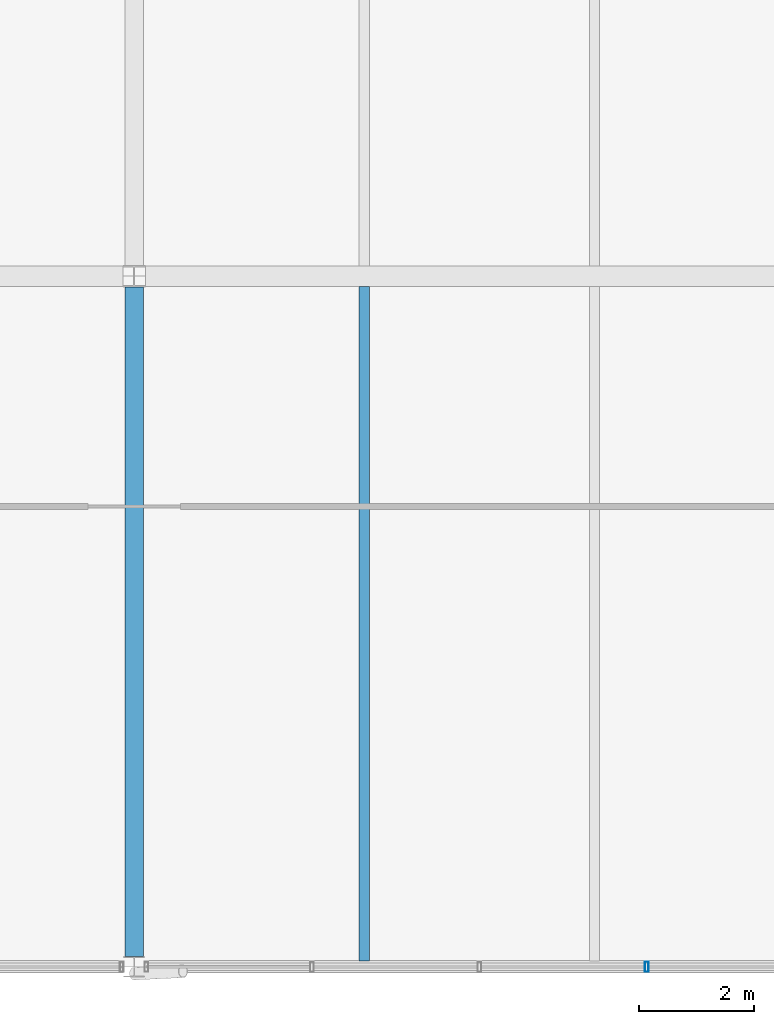
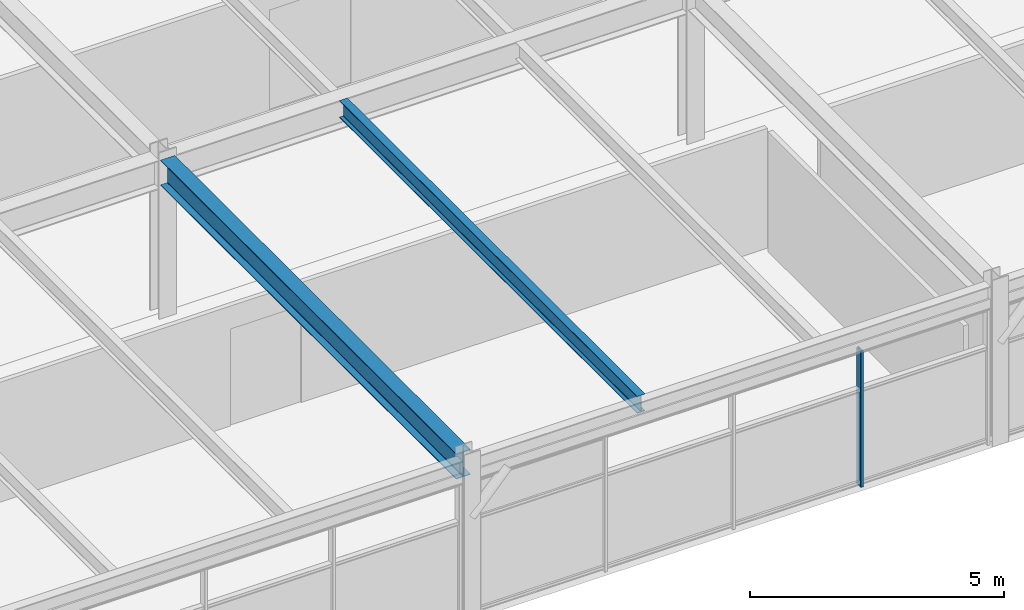
# One storey, part 17 of 40: 2 beams, 1 member, 1 element without a shape of its own.
"""IFC4 building model written with IfcOpenShell, lengths in metres."""

from ifc_helpers import new_model, si_unit, direction, frame, origin, origin_2d, place, context, subcontext, project, spatial, hollow_rectangle, i_section, extrude, material, material_profile, profile_set, type_object, element, aggregate, save


model = new_model("IFC4")

# Units and contexts
model_context = context("Model", 3, precision=1e-05, world=origin(), true_north=direction((0.0, 1.0)))
body_context = subcontext(model_context, "Body", "Model", "MODEL_VIEW")
ifc_project = project(units=[si_unit("LENGTHUNIT", "METRE"), si_unit("AREAUNIT", "SQUARE_METRE"), si_unit("VOLUMEUNIT", "CUBIC_METRE"), si_unit("PLANEANGLEUNIT", "RADIAN"), si_unit("MASSUNIT", "GRAM", prefix="KILO")], contexts=[model_context])

# Site, building, storey
site_placement = place(None, origin())
site = spatial("IfcSite", under=ifc_project, at=site_placement, CompositionType="ELEMENT")
building_placement = place(site_placement, origin())
building = spatial("IfcBuilding", under=site, at=building_placement, Name="Girod Span Mobility Hub", CompositionType="ELEMENT")
storey_placement = place(building_placement, frame((0.0, 0.0, 53.60009765625)))
storey = spatial("IfcBuildingStorey", under=building, at=storey_placement, Name="L13", CompositionType="ELEMENT", Elevation=53.60009765625)

# Beams
ifc_material_1 = material(Name="Steel A992 Grade 50", Category="steel")
ifc_material_profile_1 = material_profile(ifc_material_1, i_section(OverallWidth=0.178955078125, OverallDepth=0.409912109375, WebThickness=0.0087890625, FlangeThickness=0.014404296875, FilletRadius=0.012939453125, at=origin_2d()), Name="W16X45")
ifc_profile_set_1 = profile_set([ifc_material_profile_1], Name="Steel A992 Grade 50")
beam_type_1 = type_object("IfcBeamType", Name="BM-STL-W16X45", PredefinedType="BEAM", material=ifc_profile_set_1)
beam_1_placement = place(storey_placement, frame((88.0, 45.10302734375, 3.60986328125), z_axis=(0.0, 1.0, 0.0), x_axis=(-1.0, 0.0, 0.0)))
element("IfcBeam", 1, at=beam_1_placement, inside=storey, type_object=beam_type_1, Name="Composite Floorbeam 8/D-1 L13", PredefinedType="BEAM", context=body_context, shape_type="SweptSolid", body=[
    extrude(i_section(OverallWidth=0.178955078125, OverallDepth=0.409912109375, WebThickness=0.0087890625, FlangeThickness=0.014404296875, FilletRadius=0.012939453125, at=origin_2d()), origin(), (0.0, 0.0, 1.0), 11.722412109375),
])
ifc_material_2 = material(Name="Steel A992 Grade 50", Category="steel")
ifc_material_profile_2 = material_profile(ifc_material_2, i_section(OverallWidth=0.323974609375, OverallDepth=0.611083984375, WebThickness=0.0126953125, FlangeThickness=0.01904296875, FilletRadius=0.014892578125, at=origin_2d()), Name="W24X104")
ifc_profile_set_2 = profile_set([ifc_material_profile_2], Name="Steel A992 Grade 50")
beam_type_2 = type_object("IfcBeamType", Name="BM-STL-W24X104", PredefinedType="BEAM", material=ifc_profile_set_2)
beam_2_placement = place(storey_placement, frame((84.0, 45.175048828125, 3.509521484375), z_axis=(0.0, 1.0, 0.0), x_axis=(-1.0, 0.0, 0.0)))
element("IfcBeam", 2, at=beam_2_placement, inside=storey, type_object=beam_type_2, Name="Tie Girder 8/D-E L13", PredefinedType="BEAM", context=body_context, shape_type="SweptSolid", body=[
    extrude(i_section(OverallWidth=0.323974609375, OverallDepth=0.611083984375, WebThickness=0.0126953125, FlangeThickness=0.01904296875, FilletRadius=0.014892578125, at=origin_2d()), origin(), (0.0, 0.0, 1.0), 11.640380859375),
])

# Curtain wall, member
ifc_material_3 = material(Name="Thermally Broken Anodised Aluminium", Category="aluminium")
curtain_wall_type = type_object("IfcCurtainWallType", Name="CW-1164X327", PredefinedType="USERDEFINED", material=ifc_material_3)
curtain_wall_placement = place(storey_placement, origin())
curtain_wall = element("IfcCurtainWall", 3, at=curtain_wall_placement, inside=storey, type_object=curtain_wall_type, Name="Unitised Curtain Wall CW-L13-S08 L13", ObjectType="UNITISED CURTAIN WALL", PredefinedType="USERDEFINED")
ifc_material_4 = material(Name="Thermally Broken Anodised Aluminium", Category="aluminium")
ifc_material_profile_3 = material_profile(ifc_material_4, hollow_rectangle(XDim=0.179931640625, YDim=0.06494140625, WallThickness=0.00390625, InnerFilletRadius=0.00390625, OuterFilletRadius=0.008056640625, at=origin_2d()), Name="CW-ML-65X180")
ifc_profile_set_3 = profile_set([ifc_material_profile_3], Name="Thermally Broken Anodised Aluminium")
member_type = type_object("IfcMemberType", Name="CWM-ML-2", PredefinedType="MULLION", material=ifc_profile_set_3)
member_placement = place(storey_placement, frame((92.90869140625, 45.0, 0.0), z_axis=(0.0, 0.0, 1.0), x_axis=(0.0, 1.0, 0.0)))
member = element("IfcMember", 4, at=member_placement, type_object=member_type, Name="Curtain Wall Mullion CW-L13-S08-M3", PredefinedType="MULLION", context=body_context, shape_type="SweptSolid", body=[
    extrude(hollow_rectangle(XDim=0.179931640625, YDim=0.06494140625, WallThickness=0.00390625, InnerFilletRadius=0.00390625, OuterFilletRadius=0.008056640625, at=origin_2d()), origin(), (0.0, 0.0, 1.0), 3.27099609375),
])
aggregate(curtain_wall, [member])

save(model, "model.ifc")
